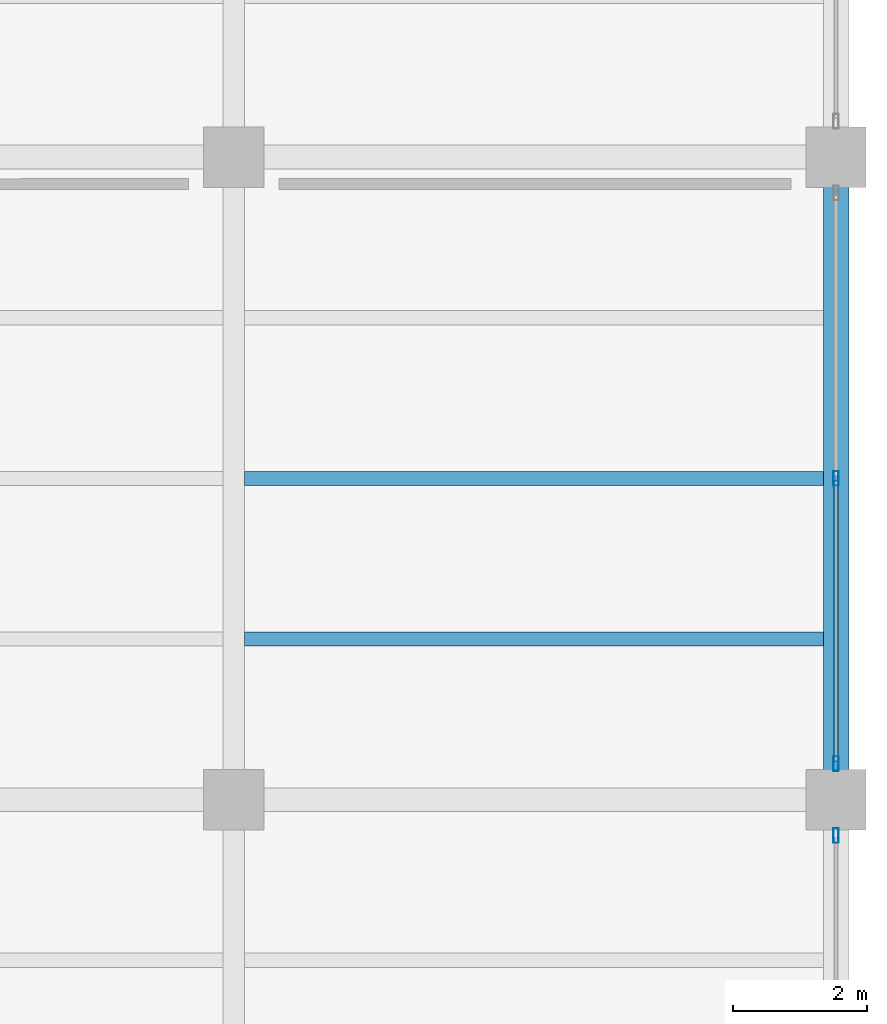
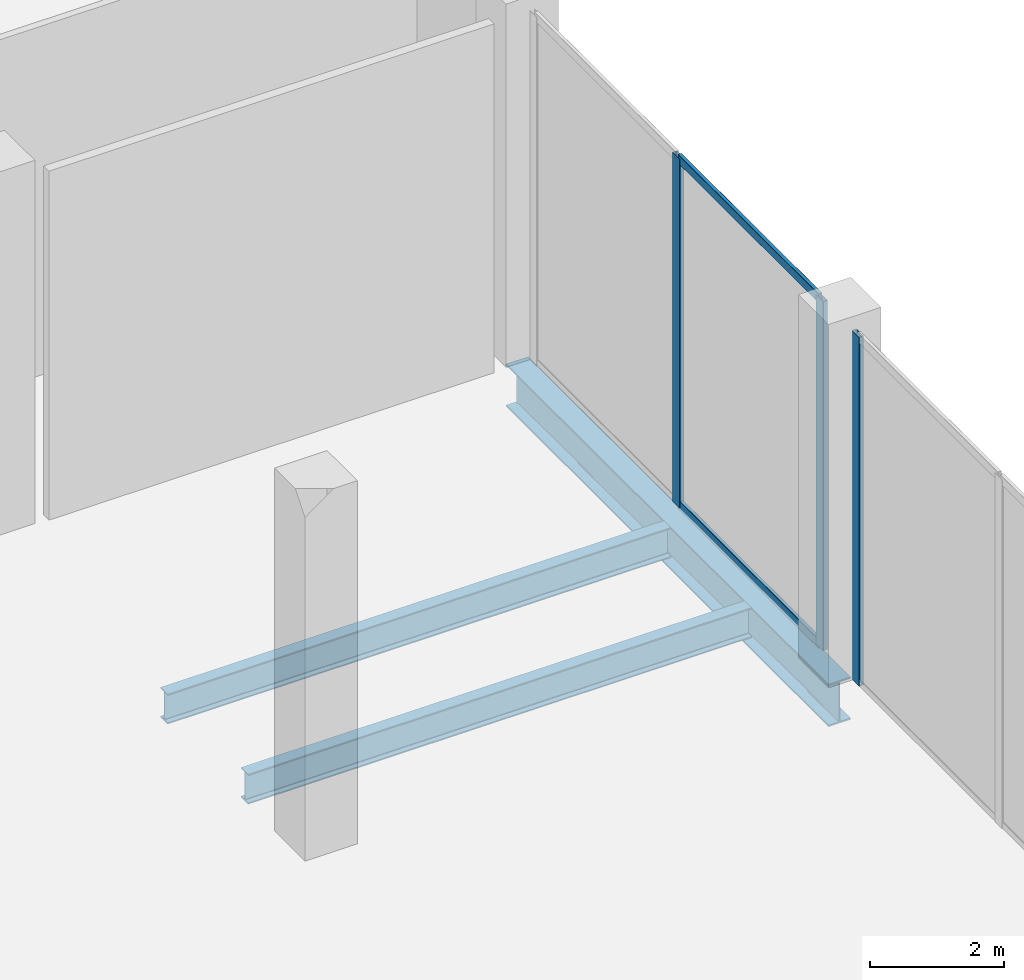
# One storey, part 18 of 45: 5 members, 3 beams, 2 elements without a shape of their own.
"""IFC4 building model written with IfcOpenShell, lengths in metres."""

from ifc_helpers import new_model, si_unit, direction, frame, origin, origin_2d, place, context, subcontext, project, spatial, hollow_rectangle, i_section, extrude, material, layer, layer_set, material_profile, profile_set, type_object, element, aggregate, save


model = new_model("IFC4")

# Units and contexts
model_context = context("Model", 3, precision=1e-05, world=origin(), true_north=direction((0.0, 1.0)))
body_context = subcontext(model_context, "Body", "Model", "MODEL_VIEW")
ifc_project = project(units=[si_unit("LENGTHUNIT", "METRE"), si_unit("AREAUNIT", "SQUARE_METRE"), si_unit("VOLUMEUNIT", "CUBIC_METRE"), si_unit("PLANEANGLEUNIT", "RADIAN"), si_unit("MASSUNIT", "GRAM", prefix="KILO")], contexts=[model_context])

# Site, building, storey
site_placement = place(None, origin())
site = spatial("IfcSite", under=ifc_project, at=site_placement, CompositionType="ELEMENT")
building_placement = place(site_placement, origin())
building = spatial("IfcBuilding", under=site, at=building_placement, Name="Qorvath Tower", CompositionType="ELEMENT")
storey_placement = place(building_placement, origin())
storey = spatial("IfcBuildingStorey", under=building, at=storey_placement, Name="L00", CompositionType="ELEMENT", Elevation=0.0)

# Beams
ifc_material_1 = material(Name="Steel ASTM A992 Grade 50", Category="steel")
ifc_material_profile_1 = material_profile(ifc_material_1, i_section(OverallWidth=0.381103515625, OverallDepth=0.77294921875, WebThickness=0.0166015625, FlangeThickness=0.027099609375, FilletRadius=0.01904296875, at=origin_2d()), Name="W30x173")
ifc_profile_set_1 = profile_set([ifc_material_profile_1], Name="Steel ASTM A992 Grade 50")
beam_type_1 = type_object("IfcBeamType", Name="BM-FG3", PredefinedType="BEAM", material=ifc_profile_set_1)
beam_placement = place(storey_placement, frame((77.39990234375, 0.0, -0.6865234375), z_axis=(0.0, 1.0, 0.0), x_axis=(-1.0, 0.0, 0.0)))
element("IfcBeam", 1, at=beam_placement, inside=storey, type_object=beam_type_1, Name="Library N-S Girder L00-6-5", PredefinedType="BEAM", context=body_context, shape_type="SweptSolid", body=[
    extrude(i_section(OverallWidth=0.381103515625, OverallDepth=0.77294921875, WebThickness=0.0166015625, FlangeThickness=0.027099609375, FilletRadius=0.01904296875, at=origin_2d()), origin(), (0.0, 0.0, 1.0), 9.60009765625),
])
ifc_material_2 = material(Name="Steel ASTM A992 Grade 50", Category="steel")
ifc_material_profile_2 = material_profile(ifc_material_2, i_section(OverallWidth=0.2119140625, OverallDepth=0.5439453125, WebThickness=0.01318359375, FlangeThickness=0.021240234375, FilletRadius=0.013916015625, at=origin_2d()), Name="W21x83")
ifc_profile_set_2 = profile_set([ifc_material_profile_2], Name="Steel ASTM A992 Grade 50")
beam_type_2 = type_object("IfcBeamType", Name="BM-FJ1", PredefinedType="JOIST", material=ifc_profile_set_2)
for number, where, z_axis, x_axis, name in (
    (2, (68.560546875, 2.39990234375, -0.572021484375), (1.0, 0.0, 0.0), (0.0, 1.0, 0.0), "Library Stack Joist L00-5.1-5"),
    (3, (68.560546875, 4.800048828125, -0.572021484375), (1.0, 0.0, 0.0), (0.0, 1.0, 0.0), "Library Stack Joist L00-5.2-5"),
):
    element("IfcBeam", number, at=place(storey_placement, frame(where, z_axis=z_axis, x_axis=x_axis)), inside=storey, type_object=beam_type_2, Name=name, PredefinedType="JOIST", context=body_context, shape_type="SweptSolid", body=[
        extrude(i_section(OverallWidth=0.2119140625, OverallDepth=0.5439453125, WebThickness=0.01318359375, FlangeThickness=0.021240234375, FilletRadius=0.013916015625, at=origin_2d()), origin(), (0.0, 0.0, 1.0), 8.65087890625),
    ])

# Curtain wall, member
ifc_material_3 = material(Name="Anodised aluminium and triple low-E glass", Category="aluminium")
ifc_layer = layer(ifc_material_3, 0.179931640625)
ifc_layer_set = layer_set([ifc_layer], Name="CW-SYS-6")
curtain_wall_type = type_object("IfcCurtainWallType", Name="CW-SYS-6", PredefinedType="NOTDEFINED", material=ifc_layer_set)
curtain_wall_1_placement = place(storey_placement, origin())
curtain_wall_1 = element("IfcCurtainWall", 4, at=curtain_wall_1_placement, inside=storey, type_object=curtain_wall_type, Name="Curtain Wall CW-6 CW-LIB-E-L00-4", PredefinedType="NOTDEFINED")
ifc_material_4 = material(Name="Anodised aluminium 6063-T6", Category="aluminium")
ifc_material_profile_3 = material_profile(ifc_material_4, hollow_rectangle(XDim=0.080078125, YDim=0.219970703125, WallThickness=0.00439453125, InnerFilletRadius=0.00439453125, OuterFilletRadius=0.009033203125, at=origin_2d()), Name="CWM LIB 220x80")
ifc_profile_set_3 = profile_set([ifc_material_profile_3], Name="Anodised aluminium 6063-T6")
member_type_1 = type_object("IfcMemberType", Name="CWM-LIB", PredefinedType="MULLION", material=ifc_profile_set_3)
member_1_placement = place(storey_placement, frame((77.39990234375, -0.53515625, 0.0), z_axis=(0.0, 0.0, 1.0), x_axis=(-1.0, 0.0, 0.0)))
member_1 = element("IfcMember", 5, at=member_1_placement, type_object=member_type_1, Name="CW-6 mullion 3", PredefinedType="MULLION", context=body_context, shape_type="SweptSolid", body=[
    extrude(hollow_rectangle(XDim=0.080078125, YDim=0.219970703125, WallThickness=0.00439453125, InnerFilletRadius=0.00439453125, OuterFilletRadius=0.009033203125, at=origin_2d()), origin(), (0.0, 0.0, 1.0), 6.340087890625),
])
aggregate(curtain_wall_1, [member_1])

# Curtain wall, members
curtain_wall_2_placement = place(storey_placement, origin())
curtain_wall_2 = element("IfcCurtainWall", 6, at=curtain_wall_2_placement, inside=storey, type_object=curtain_wall_type, Name="Curtain Wall CW-6 CW-LIB-E-L00-5", PredefinedType="NOTDEFINED")
member_2_placement = place(storey_placement, frame((77.39990234375, 0.53515625, 0.0), z_axis=(0.0, 0.0, 1.0), x_axis=(-1.0, 0.0, 0.0)))
member_2 = element("IfcMember", 7, at=member_2_placement, type_object=member_type_1, Name="CW-6 mullion 1", PredefinedType="MULLION", context=body_context, shape_type="SweptSolid", body=[
    extrude(hollow_rectangle(XDim=0.080078125, YDim=0.219970703125, WallThickness=0.00439453125, InnerFilletRadius=0.00439453125, OuterFilletRadius=0.009033203125, at=origin_2d()), origin(), (0.0, 0.0, 1.0), 6.340087890625),
])
member_3_placement = place(storey_placement, frame((77.39990234375, 4.800048828125, 0.0), z_axis=(0.0, 0.0, 1.0), x_axis=(-1.0, 0.0, 0.0)))
member_3 = element("IfcMember", 8, at=member_3_placement, type_object=member_type_1, Name="CW-6 mullion 2", PredefinedType="MULLION", context=body_context, shape_type="SweptSolid", body=[
    extrude(hollow_rectangle(XDim=0.080078125, YDim=0.219970703125, WallThickness=0.00439453125, InnerFilletRadius=0.00439453125, OuterFilletRadius=0.009033203125, at=origin_2d()), origin(), (0.0, 0.0, 1.0), 6.340087890625),
])
ifc_material_5 = material(Name="Anodised aluminium 6063-T6", Category="aluminium")
ifc_material_profile_4 = material_profile(ifc_material_5, hollow_rectangle(XDim=0.06494140625, YDim=0.159912109375, WallThickness=0.00341796875, InnerFilletRadius=0.00341796875, OuterFilletRadius=0.007080078125, at=origin_2d()), Name="CWT 160x65")
ifc_profile_set_4 = profile_set([ifc_material_profile_4], Name="Anodised aluminium 6063-T6")
member_type_2 = type_object("IfcMemberType", Name="CWT-160", PredefinedType="USERDEFINED", material=ifc_profile_set_4)
member_4_placement = place(storey_placement, frame((77.39990234375, 0.5751953125, 0.032470703125), z_axis=(0.0, 1.0, 0.0), x_axis=(-1.0, 0.0, 0.0)))
member_4 = element("IfcMember", 9, at=member_4_placement, type_object=member_type_2, Name="CW-6 transom 1.1", ObjectType="TRANSOM", PredefinedType="USERDEFINED", context=body_context, shape_type="SweptSolid", body=[
    extrude(hollow_rectangle(XDim=0.06494140625, YDim=0.159912109375, WallThickness=0.00341796875, InnerFilletRadius=0.00341796875, OuterFilletRadius=0.007080078125, at=origin_2d()), origin(), (0.0, 0.0, 1.0), 4.184814453125),
])
member_5_placement = place(storey_placement, frame((77.39990234375, 0.5751953125, 6.3076171875), z_axis=(0.0, 1.0, 0.0), x_axis=(-1.0, 0.0, 0.0)))
member_5 = element("IfcMember", 10, at=member_5_placement, type_object=member_type_2, Name="CW-6 transom 1.2", ObjectType="TRANSOM", PredefinedType="USERDEFINED", context=body_context, shape_type="SweptSolid", body=[
    extrude(hollow_rectangle(XDim=0.06494140625, YDim=0.159912109375, WallThickness=0.00341796875, InnerFilletRadius=0.00341796875, OuterFilletRadius=0.007080078125, at=origin_2d()), origin(), (0.0, 0.0, 1.0), 4.184814453125),
])
aggregate(curtain_wall_2, [member_2, member_3, member_4, member_5])

save(model, "model.ifc")
